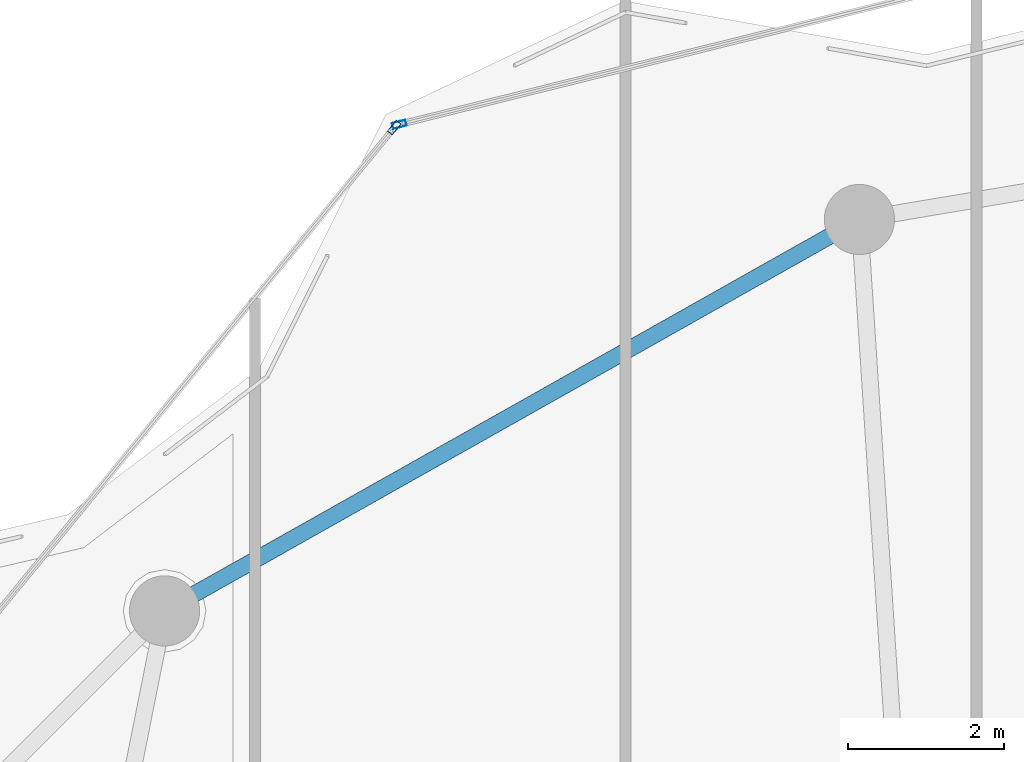
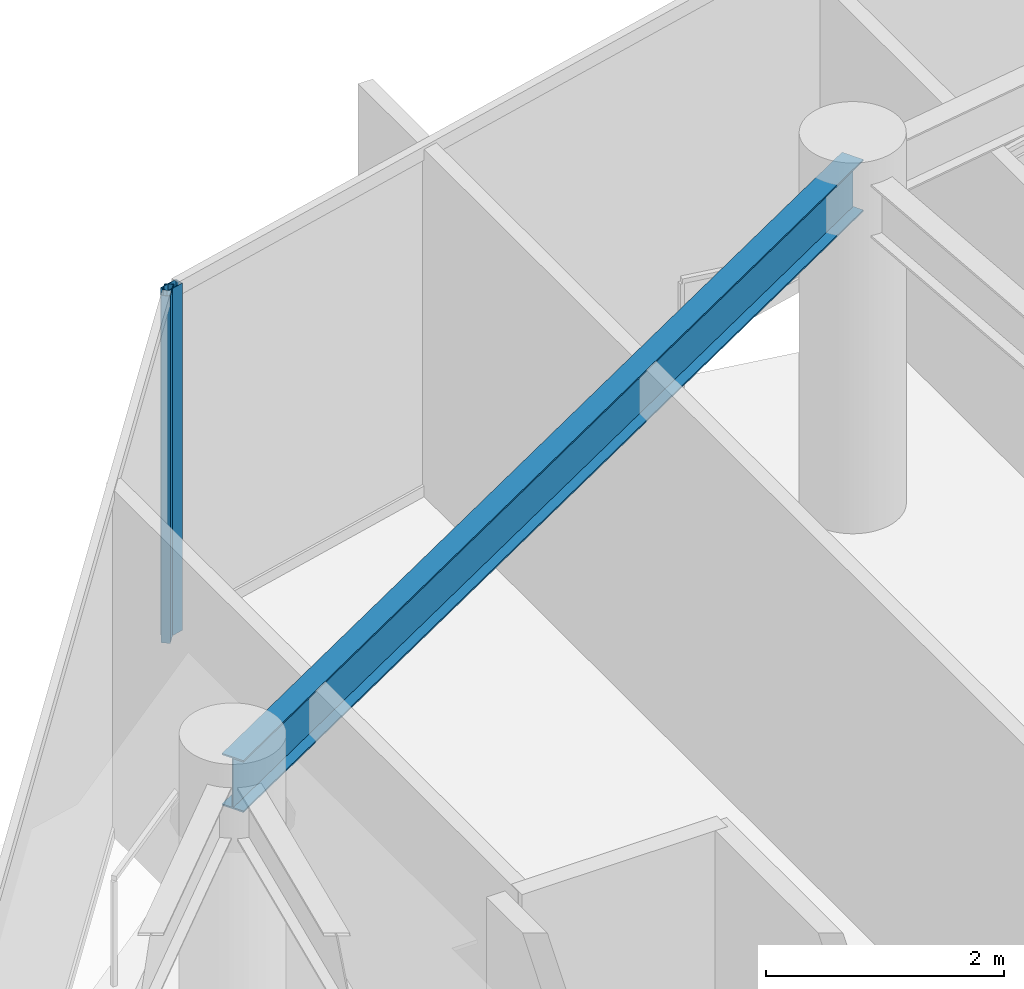
# One storey, part 19 of 29: 2 members, 1 beam, 2 elements without a shape of their own.
"""IFC4 building model written with IfcOpenShell, lengths in metres."""

import ifcopenshell
import ifcopenshell.guid

model = None  # the IFC model being written
_history = None  # IfcOwnerHistory: only IFC2X3 demands one
_inside = {}  # id of a spatial element -> (the spatial element, [elements in it])
_under = {}  # id of a project, library or spatial element -> (it, [spatial elements below it])
_declared = {}  # id of a project -> (the project, [libraries it declares])
_typed = {}  # id of a type object -> (the type object, [elements of that type])
_made_of = {}  # id of a material, layer set ... -> (it, [elements and type objects made of it])


def new_model(schema):
    """Start an empty IFC model of exactly this schema.

    Asked for "IFC4X3", IfcOpenShell would pick the latest addendum, in which some entities
    have other attributes; the version numbers below select the first issue.
    IFC2X3 requires an IfcOwnerHistory on every rooted entity: one is made here for all.
    """
    global model, _history
    if schema == "IFC4X3":
        model = ifcopenshell.file(schema_version=(4, 3, 0, 0))
    else:
        model = ifcopenshell.file(schema=schema)
    _inside.clear()
    _under.clear()
    _declared.clear()
    _typed.clear()
    _made_of.clear()
    _history = None
    if model.schema == "IFC2X3":
        org = make("IfcOrganization", Name="unknown")
        user = make(
            "IfcPersonAndOrganization",
            ThePerson=make("IfcPerson", FamilyName="unknown"),
            TheOrganization=org,
        )
        app = make(
            "IfcApplication",
            ApplicationDeveloper=org,
            Version="unknown",
            ApplicationFullName="unknown",
            ApplicationIdentifier="unknown",
        )
        _history = make(
            "IfcOwnerHistory",
            OwningUser=user,
            OwningApplication=app,
            ChangeAction="ADDED",
            CreationDate=0,
        )
    return model


def make(cls, **values):
    """One entity of the class cls with the attributes given. An attribute that is None is left unset."""
    return model.create_entity(
        cls, **{name: value for name, value in values.items() if value is not None}
    )


def rooted(cls, **values):
    """An entity with a GlobalId (a new one), such as an element, a storey or a relation."""
    return make(cls, GlobalId=ifcopenshell.guid.new(), OwnerHistory=_history, **values)


def si_unit(unit_type, name, prefix=None):
    """IfcSIUnit, for example si_unit("LENGTHUNIT", "METRE", prefix="MILLI")."""
    return make("IfcSIUnit", UnitType=unit_type, Prefix=prefix, Name=name)


def assignment(units):
    """IfcUnitAssignment: the units of a project."""
    return None if units is None else make("IfcUnitAssignment", Units=units)


def point(xyz):
    """IfcCartesianPoint."""
    return None if xyz is None else make("IfcCartesianPoint", Coordinates=xyz)


def direction(xyz):
    """IfcDirection."""
    return None if xyz is None else make("IfcDirection", DirectionRatios=xyz)


def frame(location, z_axis=None, x_axis=None):
    """IfcAxis2Placement3D, a coordinate frame: its origin and axes. An axis left out is left unset."""
    return make(
        "IfcAxis2Placement3D",
        Location=point(location),
        Axis=direction(z_axis),
        RefDirection=direction(x_axis),
    )


def frame_2d(location, x_axis=None):
    """IfcAxis2Placement2D, a coordinate frame in the plane: its origin and x axis."""
    return make(
        "IfcAxis2Placement2D", Location=point(location), RefDirection=direction(x_axis)
    )


def origin():
    """The frame at (0, 0, 0) with its axes left unset."""
    return frame((0.0, 0.0, 0.0))


def origin_2d():
    """The frame at (0, 0) in the plane with its x axis left unset."""
    return frame_2d((0.0, 0.0))


def place(relative_to, where):
    """IfcLocalPlacement: puts the frame where relative to a parent placement (None: the world)."""
    return make(
        "IfcLocalPlacement", PlacementRelTo=relative_to, RelativePlacement=where
    )


def context(
    kind, dimensions, precision=None, world=None, true_north=None, identifier=None
):
    """IfcGeometricRepresentationContext, for example the 3D "Model" context."""
    return make(
        "IfcGeometricRepresentationContext",
        ContextIdentifier=identifier,
        ContextType=kind,
        CoordinateSpaceDimension=dimensions,
        Precision=precision,
        WorldCoordinateSystem=world,
        TrueNorth=true_north,
    )


def subcontext(parent, identifier, kind, view, scale=None):
    """IfcGeometricRepresentationSubContext, for example "Body" below "Model"."""
    return make(
        "IfcGeometricRepresentationSubContext",
        ContextIdentifier=identifier,
        ContextType=kind,
        ParentContext=parent,
        TargetScale=scale,
        TargetView=view,
    )


def project(units=None, contexts=None):
    """IfcProject with its units and contexts."""
    return rooted(
        "IfcProject",
        Name="project",
        RepresentationContexts=contexts,
        UnitsInContext=assignment(units),
    )


def spatial(cls, under=None, at=None, **own):
    """A site, building, storey or space (cls), placed at a placement, below another one or the project."""
    s = rooted(cls, ObjectPlacement=at, **own)
    if under is not None:
        _under.setdefault(under.id(), (under, []))[1].append(s)
    return s


def profile(cls, at=None, kind="AREA", **sizes):
    """A parametric profile (cls). Its sizes go by their IFC names, for example OverallWidth=200.0."""
    return make(cls, ProfileType=kind, Position=at, **sizes)


def hollow_rectangle(**sizes):
    """IfcRectangleHollowProfileDef."""
    return profile("IfcRectangleHollowProfileDef", **sizes)


def i_section(**sizes):
    """IfcIShapeProfileDef."""
    return profile("IfcIShapeProfileDef", **sizes)


def extrude(swept, where, along, depth):
    """IfcExtrudedAreaSolid: the profile swept, set in the frame where, extruded along a direction by depth."""
    return make(
        "IfcExtrudedAreaSolid",
        SweptArea=swept,
        Position=where,
        ExtrudedDirection=direction(along),
        Depth=depth,
    )


def shape(context_of_items, identifier, shape_type, items):
    """IfcShapeRepresentation: the items that make up one representation, for example the "Body"."""
    return make(
        "IfcShapeRepresentation",
        ContextOfItems=context_of_items,
        RepresentationIdentifier=identifier,
        RepresentationType=shape_type,
        Items=items,
    )


def material(Name=None, Category=None):
    """IfcMaterial."""
    return make("IfcMaterial", Name=Name, Category=Category)


def layer(
    of_material, thickness, ventilated=None, Name=None, Category=None, Priority=None
):
    """IfcMaterialLayer: one layer of a wall or slab, of a material (None: an air gap)."""
    return make(
        "IfcMaterialLayer",
        Material=of_material,
        LayerThickness=thickness,
        IsVentilated=ventilated,
        Name=Name,
        Category=Category,
        Priority=Priority,
    )


def layer_set(layers, Name=None):
    """IfcMaterialLayerSet."""
    return make("IfcMaterialLayerSet", MaterialLayers=layers, LayerSetName=Name)


def material_profile(
    of_material, cross_section, Name=None, Category=None, Priority=None
):
    """IfcMaterialProfile: a cross section and its material."""
    return make(
        "IfcMaterialProfile",
        Name=Name,
        Material=of_material,
        Profile=cross_section,
        Priority=Priority,
        Category=Category,
    )


def profile_set(profiles, Name=None, composite=None):
    """IfcMaterialProfileSet."""
    return make(
        "IfcMaterialProfileSet",
        Name=Name,
        MaterialProfiles=profiles,
        CompositeProfile=composite,
    )


def made_of(thing, what):
    """Note that an element or type object is made of a material, layer set ...; save() writes the relation."""
    if what is not None:
        _made_of.setdefault(what.id(), (what, []))[1].append(thing)
    return thing


def type_object(cls, material=None, **own):
    """A type object (cls), such as IfcWallType, which elements share."""
    return made_of(rooted(cls, **own), material)


def element(
    cls,
    number,
    at=None,
    inside=None,
    cuts=None,
    type_object=None,
    material=None,
    context=None,
    identifier="Body",
    shape_type=None,
    held_by="IfcProductDefinitionShape",
    body=None,
    shapes=None,
    **own,
):
    """One element of the class cls, such as IfcWall. Its Tag is "e" and its number.

    at: its placement. inside: the storey or other place that contains it. cuts: it is an
    opening in that element (IfcRelVoidsElement). A single representation is given by context,
    identifier, shape_type and body (its items); several are given by shapes. held_by: the class
    of the entity that holds the representations. save() writes the other relations.
    """
    e = rooted(cls, Tag="e%d" % number, ObjectPlacement=at, **own)
    if body is not None:
        shapes = [shape(context, identifier, shape_type, body)]
    if shapes is not None:
        e.Representation = make(held_by, Representations=shapes)
    if inside is not None:
        _inside.setdefault(inside.id(), (inside, []))[1].append(e)
    if cuts is not None:
        rooted(
            "IfcRelVoidsElement", RelatingBuildingElement=cuts, RelatedOpeningElement=e
        )
    if type_object is not None:
        _typed.setdefault(type_object.id(), (type_object, []))[1].append(e)
    return made_of(e, material)


def aggregate(whole, parts):
    """IfcRelAggregates: a whole, such as a stair, and the parts it consists of."""
    return rooted("IfcRelAggregates", RelatingObject=whole, RelatedObjects=parts)


def save(model, path):
    """Write the relations noted so far, then the file.

    IfcRelAggregates (storeys below a building ...), IfcRelContainedInSpatialStructure (elements
    in a storey), IfcRelDefinesByType, IfcRelAssociatesMaterial and IfcRelDeclares: one each for
    every whole, place, type object, material and project.
    """
    for whole, parts in _under.values():
        aggregate(whole, parts)
    for where, things in _inside.values():
        rooted(
            "IfcRelContainedInSpatialStructure",
            RelatedElements=things,
            RelatingStructure=where,
        )
    for kind, things in _typed.values():
        rooted("IfcRelDefinesByType", RelatedObjects=things, RelatingType=kind)
    for what, things in _made_of.values():
        rooted("IfcRelAssociatesMaterial", RelatedObjects=things, RelatingMaterial=what)
    for by, libraries in _declared.values():
        rooted("IfcRelDeclares", RelatingContext=by, RelatedDefinitions=libraries)
    model.write(path)


model = new_model("IFC4")

# Units and contexts
model_context = context("Model", 3, precision=1e-05, world=origin(), true_north=direction((0.0, 1.0)))
body_context = subcontext(model_context, "Body", "Model", "MODEL_VIEW")
ifc_project = project(units=[si_unit("LENGTHUNIT", "METRE"), si_unit("AREAUNIT", "SQUARE_METRE"), si_unit("VOLUMEUNIT", "CUBIC_METRE"), si_unit("PLANEANGLEUNIT", "RADIAN"), si_unit("MASSUNIT", "GRAM", prefix="KILO")], contexts=[model_context])

# Site, building, storey
site_placement = place(None, origin())
site = spatial("IfcSite", under=ifc_project, at=site_placement, CompositionType="ELEMENT")
building_placement = place(site_placement, origin())
building = spatial("IfcBuilding", under=site, at=building_placement, Name="Kazevale Care Tower and Concert Hall", CompositionType="ELEMENT")
storey_placement = place(building_placement, frame((0.0, 0.0, 281.39990234375)))
storey = spatial("IfcBuildingStorey", under=building, at=storey_placement, Name="L74", CompositionType="ELEMENT", Elevation=281.39990234375)

# Curtain wall, member
ifc_material_1 = material(Name="Aluminium 6063-T6 and Low-E Glass", Category="aluminium")
ifc_layer_1 = layer(ifc_material_1, 0.179931640625)
ifc_layer_set_1 = layer_set([ifc_layer_1], Name="Aluminium 6063-T6 and Low-E Glass")
curtain_wall_type_1 = type_object("IfcCurtainWallType", Name="Convex Checkerboard Finned Curtain Wall CW-2", PredefinedType="NOTDEFINED", material=ifc_layer_set_1)
curtain_wall_1_placement = place(storey_placement, origin())
curtain_wall_1 = element("IfcCurtainWall", 1, at=curtain_wall_1_placement, inside=storey, type_object=curtain_wall_type_1, Name="cw:L74:f14", PredefinedType="NOTDEFINED")
ifc_material_2 = material(Name="Aluminium 6063-T6", Category="aluminium")
ifc_material_profile_1 = material_profile(ifc_material_2, hollow_rectangle(XDim=0.080078125, YDim=0.179931640625, WallThickness=0.0048828125, at=origin_2d()), Name="ALU80x180x5")
ifc_profile_set_1 = profile_set([ifc_material_profile_1], Name="Aluminium 6063-T6")
member_type_1 = type_object("IfcMemberType", Name="CW-2 Mullion ALU80x180x5", PredefinedType="MULLION", material=ifc_profile_set_1)
member_1_placement = place(storey_placement, frame((28.53564453125, 60.568115234375, 0.0), z_axis=(0.0, 0.0, 1.0), x_axis=(-0.773802882676, 0.63342647463, 0.0)))
member_1 = element("IfcMember", 2, at=member_1_placement, type_object=member_type_1, Name="CW-2 mullion 2", PredefinedType="MULLION", context=body_context, shape_type="SweptSolid", body=[
    extrude(hollow_rectangle(XDim=0.080078125, YDim=0.179931640625, WallThickness=0.0048828125, at=origin_2d()), origin(), (0.0, 0.0, 1.0), 3.56005859375),
])
aggregate(curtain_wall_1, [member_1])

ifc_layer_2 = layer(ifc_material_1, 0.179931640625)
ifc_layer_set_2 = layer_set([ifc_layer_2], Name="Aluminium 6063-T6 and Low-E Glass")
curtain_wall_type_2 = type_object("IfcCurtainWallType", Name="Waist & Upper Residential Curtain Wall CW-4", PredefinedType="NOTDEFINED", material=ifc_layer_set_2)
curtain_wall_2_placement = place(storey_placement, origin())
curtain_wall_2 = element("IfcCurtainWall", 3, at=curtain_wall_2_placement, inside=storey, type_object=curtain_wall_type_2, Name="cw:L74:f15", PredefinedType="NOTDEFINED")
ifc_material_profile_2 = material_profile(ifc_material_2, hollow_rectangle(XDim=0.080078125, YDim=0.179931640625, WallThickness=0.0048828125, at=origin_2d()), Name="ALU80x180x5")
ifc_profile_set_2 = profile_set([ifc_material_profile_2], Name="Aluminium 6063-T6")
member_type_2 = type_object("IfcMemberType", Name="CW-4 Mullion ALU80x180x5", PredefinedType="MULLION", material=ifc_profile_set_2)
member_2_placement = place(storey_placement, frame((28.599853515625, 60.608642578125, 0.0), z_axis=(0.0, 0.0, 1.0), x_axis=(-0.240891158711, 0.970552136495, 0.0)))
member_2 = element("IfcMember", 4, at=member_2_placement, type_object=member_type_2, Name="CW-4 mullion 1", PredefinedType="MULLION", context=body_context, shape_type="SweptSolid", body=[
    extrude(hollow_rectangle(XDim=0.080078125, YDim=0.179931640625, WallThickness=0.0048828125, at=origin_2d()), origin(), (0.0, 0.0, 1.0), 3.56005859375),
])
aggregate(curtain_wall_2, [member_2])

# Beam
ifc_material_3 = material(Name="Steel ASTM A572 Gr 50", Category="steel")
ifc_material_profile_3 = material_profile(ifc_material_3, i_section(OverallWidth=0.208984375, OverallDepth=0.532958984375, WebThickness=0.01025390625, FlangeThickness=0.015625, at=origin_2d()), Name="W530x92")
ifc_profile_set_3 = profile_set([ifc_material_profile_3], Name="Steel ASTM A572 Gr 50")
beam_type = type_object("IfcBeamType", Name="Upper Ring Beam W530x92", PredefinedType="BEAM", material=ifc_profile_set_3)
beam_placement = place(storey_placement, frame((34.5, 59.389892578125, 3.293701171875), z_axis=(-0.871243170179, -0.490851646035, 0.0), x_axis=(0.490851646035, -0.871243170179, 0.0)))
element("IfcBeam", 5, at=beam_placement, inside=storey, type_object=beam_type, Name="beam:L74:ring:06", PredefinedType="BEAM", context=body_context, shape_type="SweptSolid", body=[
    extrude(i_section(OverallWidth=0.208984375, OverallDepth=0.532958984375, WebThickness=0.01025390625, FlangeThickness=0.015625, at=origin_2d()), origin(), (0.0, 0.0, 1.0), 10.2265625),
])

save(model, "model.ifc")
